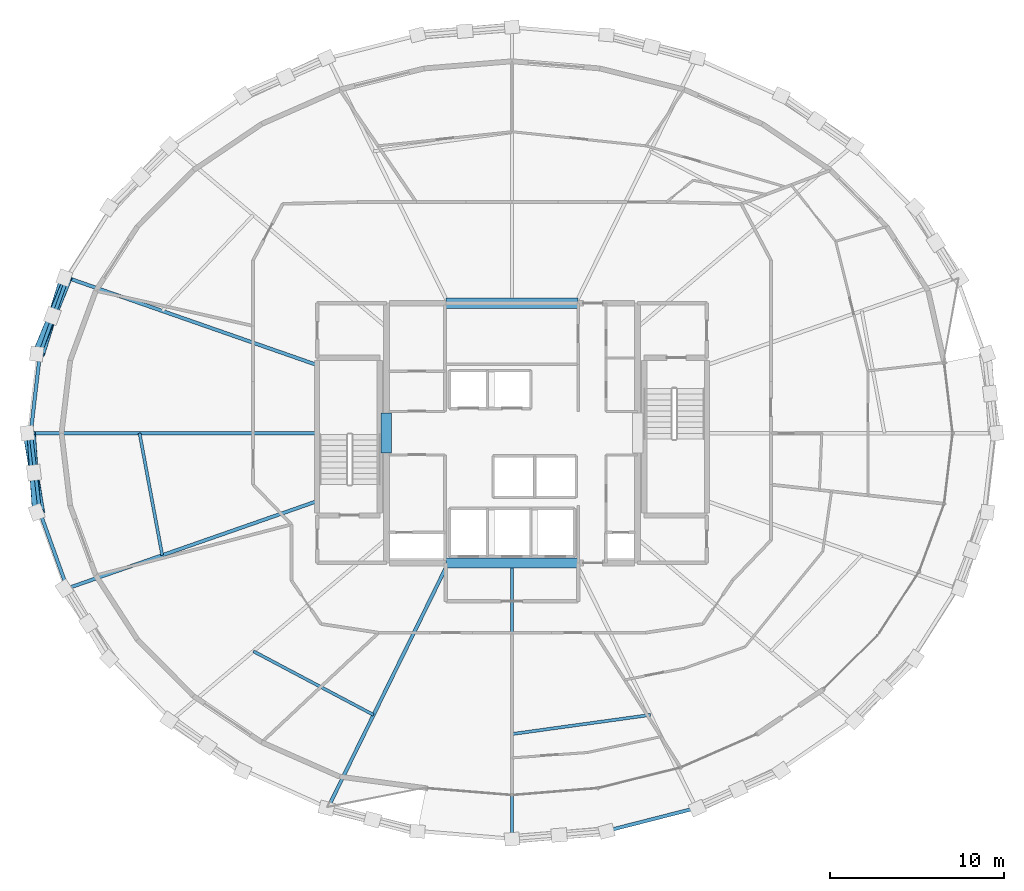
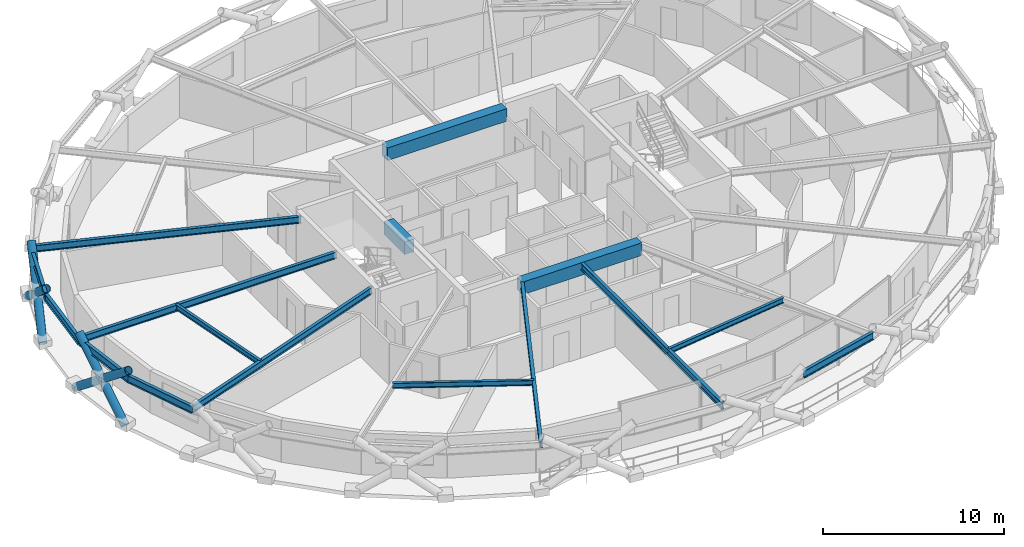
# One storey, part 3 of 17: 16 beams, 6 members.
"""IFC4 building model written with IfcOpenShell, lengths in metres."""

from ifc_helpers import new_model, si_unit, direction, frame, origin, origin_2d, place, context, subcontext, project, spatial, rectangle, hollow_circle, i_section, extrude, material, material_profile, profile_set, type_object, element, save


model = new_model("IFC4")

# Units and contexts
model_context = context("Model", 3, precision=1e-05, world=origin(), true_north=direction((0.0, 1.0)))
body_context = subcontext(model_context, "Body", "Model", "MODEL_VIEW")
ifc_project = project(units=[si_unit("LENGTHUNIT", "METRE"), si_unit("AREAUNIT", "SQUARE_METRE"), si_unit("VOLUMEUNIT", "CUBIC_METRE"), si_unit("PLANEANGLEUNIT", "RADIAN"), si_unit("MASSUNIT", "GRAM", prefix="KILO")], contexts=[model_context])

# Site, building, storey
site_placement = place(None, origin())
site = spatial("IfcSite", under=ifc_project, at=site_placement, CompositionType="ELEMENT")
building_placement = place(site_placement, origin())
building = spatial("IfcBuilding", under=site, at=building_placement, Name="Veldorina Hangang Commons", CompositionType="ELEMENT")
storey_placement = place(building_placement, frame((0.0, 0.0, 178.39990234375)))
storey = spatial("IfcBuildingStorey", under=building, at=storey_placement, Name="L46", CompositionType="ELEMENT", Elevation=178.39990234375)

# Beams
ifc_material_1 = material(Name="Concrete C60/75", Category="concrete")
ifc_material_profile_1 = material_profile(ifc_material_1, rectangle(XDim=0.60009765625, YDim=0.85009765625, at=origin_2d()), Name="RC-CB-600x850")
ifc_profile_set_1 = profile_set([ifc_material_profile_1], Name="Concrete C60/75")
beam_type_1 = type_object("IfcBeamType", Name="BM-CB850", PredefinedType="LINTEL", material=ifc_profile_set_1)
beam_1_placement = place(storey_placement, frame((24.800048828125, 22.85009765625, 2.925048828125), z_axis=(0.0, 1.0, 0.0), x_axis=(-1.0, 0.0, 0.0)))
element("IfcBeam", 1, at=beam_1_placement, inside=storey, type_object=beam_type_1, Name="L46 W core coupling lintel beam", PredefinedType="LINTEL", context=body_context, shape_type="SweptSolid", body=[
    extrude(rectangle(XDim=0.60009765625, YDim=0.85009765625, at=origin_2d()), origin(), (0.0, 0.0, 1.0), 2.2998046875),
])
for number, where, z_axis, x_axis, name in (
    (2, (28.199951171875, 16.550048828125, 2.925048828125), (1.0, 0.0, 0.0), (0.0, 1.0, 0.0), "L46 south core coupling beam"),
    (3, (28.199951171875, 31.449951171875, 2.925048828125), (1.0, 0.0, 0.0), (0.0, 1.0, 0.0), "L46 north core coupling beam"),
):
    element("IfcBeam", number, at=place(storey_placement, frame(where, z_axis=z_axis, x_axis=x_axis)), inside=storey, type_object=beam_type_1, Name=name, PredefinedType="LINTEL", context=body_context, shape_type="SweptSolid", body=[
        extrude(rectangle(XDim=0.60009765625, YDim=0.85009765625, at=origin_2d()), origin(), (0.0, 0.0, 1.0), 7.60009765625),
    ])
ifc_material_2 = material(Name="Steel SM355-TMC", Category="steel")
ifc_material_profile_2 = material_profile(ifc_material_2, i_section(OverallWidth=0.199951171875, OverallDepth=0.449951171875, WebThickness=0.009033203125, FlangeThickness=0.013916015625, FilletRadius=0.01611328125, at=origin_2d()), Name="H-450x200x9x14")
ifc_profile_set_2 = profile_set([ifc_material_profile_2], Name="Steel SM355-TMC")
beam_type_2 = type_object("IfcBeamType", Name="BM-FG450", PredefinedType="BEAM", material=ifc_profile_set_2)
beam_2_placement = place(storey_placement, frame((20.820068359375, 27.904541015625, 3.125), z_axis=(-0.944077122086, 0.329724714805, 0.0), x_axis=(-0.329724714805, -0.944077122086, 0.0)))
element("IfcBeam", 4, at=beam_2_placement, inside=storey, type_object=beam_type_2, Name="L46 radial floor girder 08", PredefinedType="BEAM", context=body_context, shape_type="SweptSolid", body=[
    extrude(i_section(OverallWidth=0.199951171875, OverallDepth=0.449951171875, WebThickness=0.009033203125, FlangeThickness=0.013916015625, FilletRadius=0.01611328125, at=origin_2d()), origin(), (0.0, 0.0, 1.0), 15.174560546875),
])
beam_3_placement = place(storey_placement, frame((20.820068359375, 24.0, 3.125), z_axis=(-1.0, 0.0, 0.0), x_axis=(0.0, -1.0, 0.0)))
element("IfcBeam", 5, at=beam_3_placement, inside=storey, type_object=beam_type_2, Name="L46 radial floor girder 09", PredefinedType="BEAM", context=body_context, shape_type="SweptSolid", body=[
    extrude(i_section(OverallWidth=0.199951171875, OverallDepth=0.449951171875, WebThickness=0.009033203125, FlangeThickness=0.013916015625, FilletRadius=0.01611328125, at=origin_2d()), origin(), (0.0, 0.0, 1.0), 16.42724609375),
])
beam_4_placement = place(storey_placement, frame((20.820068359375, 20.095458984375, 3.125), z_axis=(-0.944077122086, -0.329724714805, 0.0), x_axis=(0.329724714805, -0.944077122086, 0.0)))
element("IfcBeam", 6, at=beam_4_placement, inside=storey, type_object=beam_type_2, Name="L46 radial floor girder 10", PredefinedType="BEAM", context=body_context, shape_type="SweptSolid", body=[
    extrude(i_section(OverallWidth=0.199951171875, OverallDepth=0.449951171875, WebThickness=0.009033203125, FlangeThickness=0.013916015625, FilletRadius=0.01611328125, at=origin_2d()), origin(), (0.0, 0.0, 1.0), 15.174560546875),
])
beam_5_placement = place(storey_placement, frame((28.340087890625, 16.550048828125, 3.125), z_axis=(-0.440929218385, -0.897541878897, 0.0), x_axis=(0.897541878897, -0.440929218385, 0.0)))
element("IfcBeam", 7, at=beam_5_placement, inside=storey, type_object=beam_type_2, Name="L46 radial floor girder 12", PredefinedType="BEAM", context=body_context, shape_type="SweptSolid", body=[
    extrude(i_section(OverallWidth=0.199951171875, OverallDepth=0.449951171875, WebThickness=0.009033203125, FlangeThickness=0.013916015625, FilletRadius=0.01611328125, at=origin_2d()), origin(), (0.0, 0.0, 1.0), 15.66015625),
])
beam_6_placement = place(storey_placement, frame((32.0, 16.550048828125, 3.125), z_axis=(0.0, -1.0, 0.0), x_axis=(1.0, 0.0, 0.0)))
element("IfcBeam", 8, at=beam_6_placement, inside=storey, type_object=beam_type_2, Name="L46 radial floor girder 13", PredefinedType="BEAM", context=body_context, shape_type="SweptSolid", body=[
    extrude(i_section(OverallWidth=0.199951171875, OverallDepth=0.449951171875, WebThickness=0.009033203125, FlangeThickness=0.013916015625, FilletRadius=0.01611328125, at=origin_2d()), origin(), (0.0, 0.0, 1.0), 15.82763671875),
])
ifc_material_profile_3 = material_profile(ifc_material_2, i_section(OverallWidth=0.175048828125, OverallDepth=0.35009765625, WebThickness=0.007080078125, FlangeThickness=0.010986328125, FilletRadius=0.012939453125, at=origin_2d()), Name="H-350x175x7x11")
ifc_profile_set_3 = profile_set([ifc_material_profile_3], Name="Steel SM355-TMC")
beam_type_3 = type_object("IfcBeamType", Name="BM-JST350", PredefinedType="JOIST", material=ifc_profile_set_3)
beam_7_placement = place(storey_placement, frame((10.635009765625, 24.0, 3.175048828125), z_axis=(0.182830143219, -0.98314451569, 0.0), x_axis=(0.98314451569, 0.182830143219, 0.0)))
element("IfcBeam", 9, at=beam_7_placement, inside=storey, type_object=beam_type_3, Name="L46 secondary floor joist 09", PredefinedType="JOIST", context=body_context, shape_type="SweptSolid", body=[
    extrude(i_section(OverallWidth=0.175048828125, OverallDepth=0.35009765625, WebThickness=0.007080078125, FlangeThickness=0.010986328125, FilletRadius=0.012939453125, at=origin_2d()), origin(), (0.0, 0.0, 1.0), 7.126708984375),
])
beam_8_placement = place(storey_placement, frame((17.160888671875, 11.488037109375, 3.175048828125), z_axis=(0.883755960147, -0.467948077146, 0.0), x_axis=(0.467948077146, 0.883755960147, 0.0)))
element("IfcBeam", 10, at=beam_8_placement, inside=storey, type_object=beam_type_3, Name="L46 secondary floor joist 11", PredefinedType="JOIST", context=body_context, shape_type="SweptSolid", body=[
    extrude(i_section(OverallWidth=0.175048828125, OverallDepth=0.35009765625, WebThickness=0.007080078125, FlangeThickness=0.010986328125, FilletRadius=0.012939453125, at=origin_2d()), origin(), (0.0, 0.0, 1.0), 7.805419921875),
])
beam_9_placement = place(storey_placement, frame((32.0, 6.737060546875, 3.175048828125), z_axis=(0.990568889635, 0.137015600888, 0.0), x_axis=(-0.137015600888, 0.990568889635, 0.0)))
element("IfcBeam", 11, at=beam_9_placement, inside=storey, type_object=beam_type_3, Name="L46 secondary floor joist 13", PredefinedType="JOIST", context=body_context, shape_type="SweptSolid", body=[
    extrude(i_section(OverallWidth=0.175048828125, OverallDepth=0.35009765625, WebThickness=0.007080078125, FlangeThickness=0.010986328125, FilletRadius=0.012939453125, at=origin_2d()), origin(), (0.0, 0.0, 1.0), 8.0166015625),
])
ifc_material_3 = material(Name="Steel SM420-TMC", Category="steel")
ifc_material_profile_4 = material_profile(ifc_material_3, i_section(OverallWidth=0.199951171875, OverallDepth=0.5, WebThickness=0.010009765625, FlangeThickness=0.01611328125, FilletRadius=0.01611328125, at=origin_2d()), Name="H-500x200x10x16")
ifc_profile_set_4 = profile_set([ifc_material_profile_4], Name="Steel SM420-TMC")
beam_type_4 = type_object("IfcBeamType", Name="BM-RB500", PredefinedType="BEAM", material=ifc_profile_set_4)
beam_10_placement = place(storey_placement, frame((6.494140625, 32.907958984375, 3.10009765625), z_axis=(-0.338488453907, -0.940970545008, 0.0), x_axis=(0.940970545008, -0.338488453907, 0.0)))
element("IfcBeam", 12, at=beam_10_placement, inside=storey, type_object=beam_type_4, Name="L46 perimeter hoop ring beam 14", PredefinedType="BEAM", context=body_context, shape_type="SweptSolid", body=[
    extrude(i_section(OverallWidth=0.199951171875, OverallDepth=0.5, WebThickness=0.010009765625, FlangeThickness=0.01611328125, FilletRadius=0.01611328125, at=origin_2d()), origin(), (0.0, 0.0, 1.0), 4.640625),
])
for number, where, z_axis, x_axis, name in (
    (13, (4.92333984375, 28.541259765625, 3.10009765625), (-0.116032593305, -0.993245406378, 0.0), (0.993245406378, -0.116032593305, 0.0), "L46 perimeter hoop ring beam 15"),
    (14, (4.392822265625, 24.0, 3.10009765625), (0.116032593305, -0.993245406378, 0.0), (0.993245406378, 0.116032593305, 0.0), "L46 perimeter hoop ring beam 16"),
):
    element("IfcBeam", number, at=place(storey_placement, frame(where, z_axis=z_axis, x_axis=x_axis)), inside=storey, type_object=beam_type_4, Name=name, PredefinedType="BEAM", context=body_context, shape_type="SweptSolid", body=[
        extrude(i_section(OverallWidth=0.199951171875, OverallDepth=0.5, WebThickness=0.010009765625, FlangeThickness=0.01611328125, FilletRadius=0.01611328125, at=origin_2d()), origin(), (0.0, 0.0, 1.0), 4.572021484375),
    ])
beam_11_placement = place(storey_placement, frame((4.92333984375, 19.458740234375, 3.10009765625), z_axis=(0.338488453907, -0.940970545008, 0.0), x_axis=(0.940970545008, 0.338488453907, 0.0)))
element("IfcBeam", 15, at=beam_11_placement, inside=storey, type_object=beam_type_4, Name="L46 perimeter hoop ring beam 17", PredefinedType="BEAM", context=body_context, shape_type="SweptSolid", body=[
    extrude(i_section(OverallWidth=0.199951171875, OverallDepth=0.5, WebThickness=0.010009765625, FlangeThickness=0.01611328125, FilletRadius=0.01611328125, at=origin_2d()), origin(), (0.0, 0.0, 1.0), 4.640625),
])
beam_12_placement = place(storey_placement, frame((37.385986328125, 1.169921875, 3.10009765625), z_axis=(0.968820043196, 0.247765461478, 0.0), x_axis=(-0.247765461478, 0.968820043196, 0.0)))
element("IfcBeam", 16, at=beam_12_placement, inside=storey, type_object=beam_type_4, Name="L46 perimeter hoop ring beam 25", PredefinedType="BEAM", context=body_context, shape_type="SweptSolid", body=[
    extrude(i_section(OverallWidth=0.199951171875, OverallDepth=0.5, WebThickness=0.010009765625, FlangeThickness=0.01611328125, FilletRadius=0.01611328125, at=origin_2d()), origin(), (0.0, 0.0, 1.0), 5.345703125),
])

# Members
ifc_material_profile_5 = material_profile(ifc_material_3, hollow_circle(Radius=0.25, WallThickness=0.02490234375, at=origin_2d()), Name="CHS-500x25")
ifc_profile_set_5 = profile_set([ifc_material_profile_5], Name="Steel SM420-TMC")
member_type = type_object("IfcMemberType", Name="DG-CHS500", PredefinedType="BRACE", material=ifc_profile_set_5)
member_1_placement = place(storey_placement, frame((6.316650390625, 32.911865234375, 0.0), z_axis=(-0.234024430121, -0.750445884374, 0.618112886722), x_axis=(0.954657239121, -0.297707164498, 0.0)))
element("IfcMember", 17, at=member_1_placement, inside=storey, type_object=member_type, Name="L46 continuous perimeter diagrid brace 14", PredefinedType="BRACE", context=body_context, shape_type="SweptSolid", body=[
    extrude(hollow_circle(Radius=0.25, WallThickness=0.02490234375, at=origin_2d()), origin(), (0.0, 0.0, 1.0), 5.82421875),
])
member_2_placement = place(storey_placement, frame((4.734619140625, 28.543212890625, 0.0), z_axis=(0.30317637448, 0.734793621468, 0.606763891318), x_axis=(-0.924405777408, 0.381410485822, 0.0)))
element("IfcMember", 18, at=member_2_placement, inside=storey, type_object=member_type, Name="L46 split perimeter diagrid lower brace 15", PredefinedType="BRACE", context=body_context, shape_type="SweptSolid", body=[
    extrude(hollow_circle(Radius=0.25, WallThickness=0.02490234375, at=origin_2d()), origin(), (0.0, 0.0, 1.0), 2.968994140625),
])
member_3_placement = place(storey_placement, frame((5.634765625, 30.724853515625, 1.801513671875), z_axis=(0.299636098558, 0.736241639639, 0.606767217722), x_axis=(-0.926230412795, 0.376957852304, 0.0)))
element("IfcMember", 19, at=member_3_placement, inside=storey, type_object=member_type, Name="L46 split perimeter diagrid upper brace 15", PredefinedType="BRACE", context=body_context, shape_type="SweptSolid", body=[
    extrude(hollow_circle(Radius=0.25, WallThickness=0.02490234375, at=origin_2d()), origin(), (0.0, 0.0, 1.0), 2.964111328125),
])
member_4_placement = place(storey_placement, frame((4.200439453125, 24.0, 0.0), z_axis=(0.128886525696, -0.777079214891, 0.61606505929), x_axis=(0.986522633521, 0.163624856151, 0.0)))
element("IfcMember", 20, at=member_4_placement, inside=storey, type_object=member_type, Name="L46 continuous perimeter diagrid brace 16", PredefinedType="BRACE", context=body_context, shape_type="SweptSolid", body=[
    extrude(hollow_circle(Radius=0.25, WallThickness=0.02490234375, at=origin_2d()), origin(), (0.0, 0.0, 1.0), 5.84375),
])
member_5_placement = place(storey_placement, frame((4.734619140625, 19.456787109375, 0.0), z_axis=(-0.054236755937, 0.782606957372, 0.620148953542), x_axis=(-0.997607185416, -0.069136846953, 0.0)))
element("IfcMember", 21, at=member_5_placement, inside=storey, type_object=member_type, Name="L46 split perimeter diagrid lower brace 17", PredefinedType="BRACE", context=body_context, shape_type="SweptSolid", body=[
    extrude(hollow_circle(Radius=0.25, WallThickness=0.02490234375, at=origin_2d()), origin(), (0.0, 0.0, 1.0), 2.9033203125),
])
member_6_placement = place(storey_placement, frame((4.5771484375, 21.72900390625, 1.800537109375), z_axis=(-0.052839713177, 0.782667216516, 0.620193512464), x_axis=(-0.997728801438, -0.067359028951, 0.0)))
element("IfcMember", 22, at=member_6_placement, inside=storey, type_object=member_type, Name="L46 split perimeter diagrid upper brace 17", PredefinedType="BRACE", context=body_context, shape_type="SweptSolid", body=[
    extrude(hollow_circle(Radius=0.25, WallThickness=0.02490234375, at=origin_2d()), origin(), (0.0, 0.0, 1.0), 2.901611328125),
])

save(model, "model.ifc")
